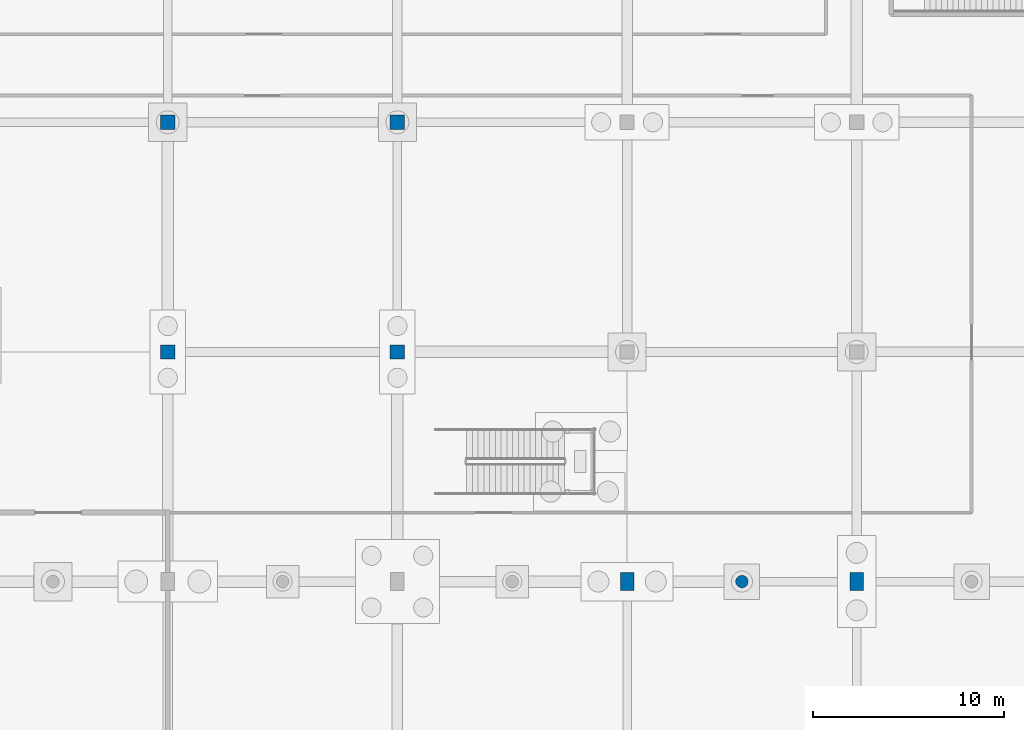
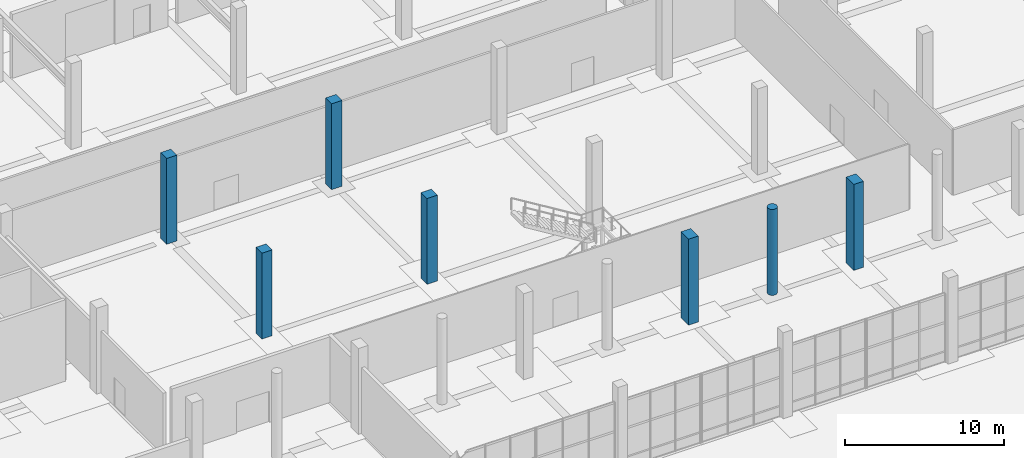
# One storey, part 23 of 117: 7 columns.
"""IFC4 building model written with IfcOpenShell, lengths in metres."""

from ifc_helpers import new_model, si_unit, direction, frame, origin, origin_2d, place, context, subcontext, project, spatial, rectangle, circle, extrude, material, material_profile, profile_set, type_object, element, save


model = new_model("IFC4")

# Units and contexts
model_context = context("Model", 3, precision=1e-05, world=origin(), true_north=direction((0.0, 1.0)))
body_context = subcontext(model_context, "Body", "Model", "MODEL_VIEW")
ifc_project = project(units=[si_unit("LENGTHUNIT", "METRE"), si_unit("AREAUNIT", "SQUARE_METRE"), si_unit("VOLUMEUNIT", "CUBIC_METRE"), si_unit("PLANEANGLEUNIT", "RADIAN"), si_unit("MASSUNIT", "GRAM", prefix="KILO")], contexts=[model_context])

# Site, building, storey
site_placement = place(None, origin())
site = spatial("IfcSite", under=ifc_project, at=site_placement, CompositionType="ELEMENT")
building_placement = place(site_placement, origin())
building = spatial("IfcBuilding", under=site, at=building_placement, Name="Kamomehara Wholesale Market", CompositionType="ELEMENT")
storey_placement = place(building_placement, origin())
storey = spatial("IfcBuildingStorey", under=building, at=storey_placement, Name="L00", CompositionType="ELEMENT", Elevation=0.0)

# Columns
ifc_material_1 = material(Name="Precast concrete Fc45 (C40/50)", Category="concrete")
ifc_material_profile_1 = material_profile(ifc_material_1, circle(Radius=0.324951171875, at=origin_2d()), Name="PC-ARC-D650")
ifc_profile_set_1 = profile_set([ifc_material_profile_1], Name="Precast concrete Fc45 (C40/50)")
column_type_1 = type_object("IfcColumnType", Name="COL-ARC650-EXT", PredefinedType="COLUMN", material=ifc_profile_set_1)
column_placement = place(storey_placement, frame((102.0, 108.0, 0.0), z_axis=(0.0, 0.0, 1.0), x_axis=(1.0, 0.0, 0.0)))
element("IfcColumn", 1, at=column_placement, inside=storey, type_object=column_type_1, Name="Column CA-01E L00", PredefinedType="COLUMN", context=body_context, shape_type="SweptSolid", body=[
    extrude(circle(Radius=0.324951171875, at=origin_2d()), origin(), (0.0, 0.0, 1.0), 6.60009765625),
])
ifc_material_2 = material(Name="Precast concrete Fc45 (C40/50)", Category="concrete")
ifc_material_profile_2 = material_profile(ifc_material_2, rectangle(XDim=0.75, YDim=0.75, at=origin_2d()), Name="PC-COL-750x750")
ifc_profile_set_2 = profile_set([ifc_material_profile_2], Name="Precast concrete Fc45 (C40/50)")
column_type_2 = type_object("IfcColumnType", Name="COL-PC750", PredefinedType="COLUMN", material=ifc_profile_set_2)
for number, where, z_axis, x_axis, name in (
    (2, (72.0, 120.0, 0.0), (0.0, 0.0, 1.0), (1.0, 0.0, 0.0), "Column C-04 L00"),
    (3, (72.0, 132.0, 0.0), (0.0, 0.0, 1.0), (1.0, 0.0, 0.0), "Column C-04 L00"),
    (4, (84.0, 120.0, 0.0), (0.0, 0.0, 1.0), (1.0, 0.0, 0.0), "Column C-04 L00"),
    (5, (84.0, 132.0, 0.0), (0.0, 0.0, 1.0), (1.0, 0.0, 0.0), "Column C-04 L00"),
):
    element("IfcColumn", number, at=place(storey_placement, frame(where, z_axis=z_axis, x_axis=x_axis)), inside=storey, type_object=column_type_2, Name=name, PredefinedType="COLUMN", context=body_context, shape_type="SweptSolid", body=[
        extrude(rectangle(XDim=0.75, YDim=0.75, at=origin_2d()), origin(), (0.0, 0.0, 1.0), 6.60009765625),
    ])
ifc_material_3 = material(Name="Precast concrete Fc45 (C40/50)", Category="concrete")
ifc_material_profile_3 = material_profile(ifc_material_3, rectangle(XDim=0.699951171875, YDim=0.949951171875, at=origin_2d()), Name="PC-COL-700x950")
ifc_profile_set_3 = profile_set([ifc_material_profile_3], Name="Precast concrete Fc45 (C40/50)")
column_type_3 = type_object("IfcColumnType", Name="COL-PCR950-EXT", PredefinedType="COLUMN", material=ifc_profile_set_3)
for number, where, z_axis, x_axis, name in (
    (6, (96.0, 108.0, 0.0), (0.0, 0.0, 1.0), (1.0, 0.0, 0.0), "Column C-11E L00"),
    (7, (108.0, 108.0, 0.0), (0.0, 0.0, 1.0), (1.0, 0.0, 0.0), "Column C-11E L00"),
):
    element("IfcColumn", number, at=place(storey_placement, frame(where, z_axis=z_axis, x_axis=x_axis)), inside=storey, type_object=column_type_3, Name=name, PredefinedType="COLUMN", context=body_context, shape_type="SweptSolid", body=[
        extrude(rectangle(XDim=0.699951171875, YDim=0.949951171875, at=origin_2d()), origin(), (0.0, 0.0, 1.0), 6.60009765625),
    ])

save(model, "model.ifc")
